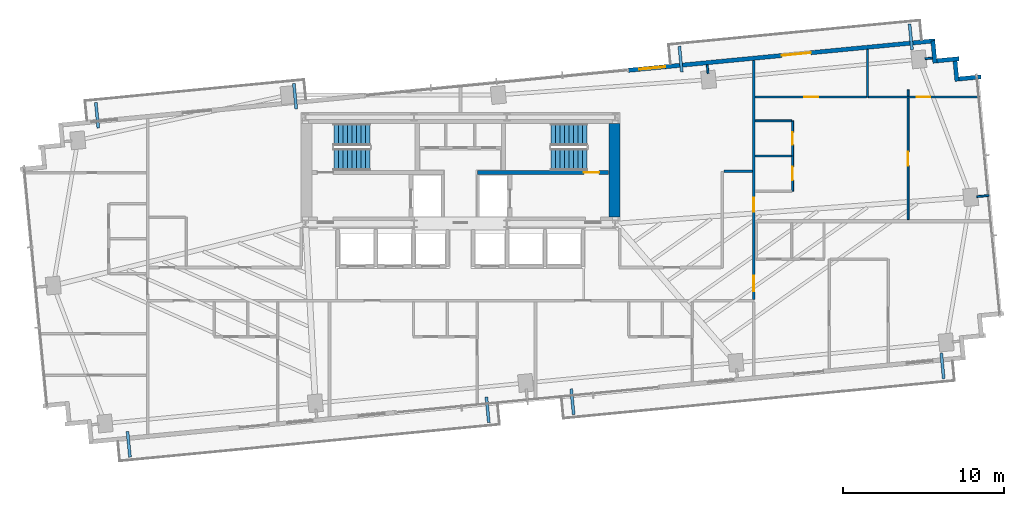
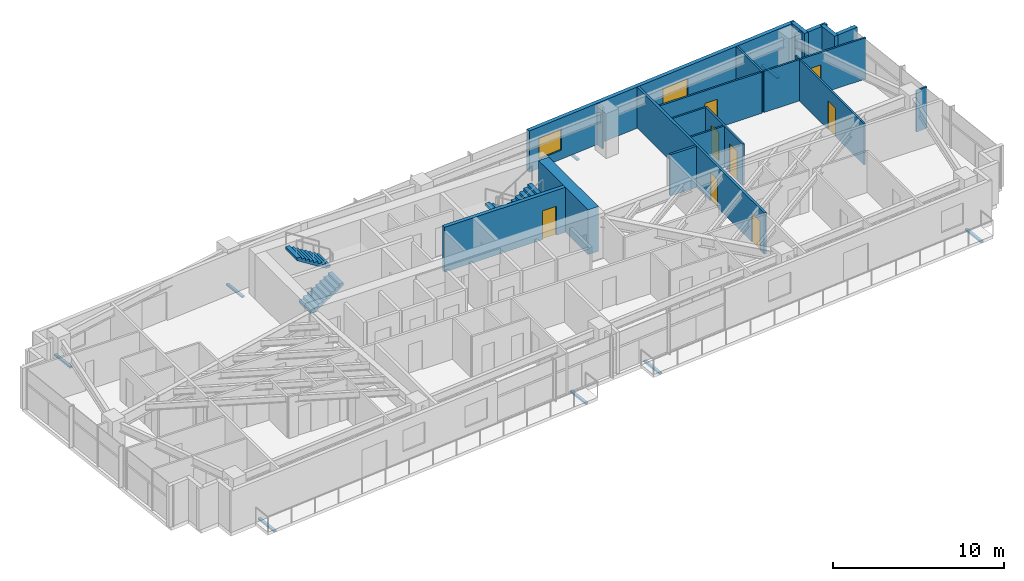
# One storey, part 24 of 27: 20 walls, 9 doors, 8 discrete accessories, 4 stair flights, 1 window, 10 openings, 2 elements without a shape of their own.
"""IFC4 building model written with IfcOpenShell, lengths in metres."""

from ifc_helpers import new_model, si_unit, direction, frame, frame_2d, origin, origin_2d, place, context, subcontext, project, spatial, polyline, rectangle, outline, extrude, source, transform, mapped, material, layer, layer_set, type_object, type_shapes, element, fill, aggregate, save


model = new_model("IFC4")

# Units and contexts
model_context = context("Model", 3, precision=1e-05, world=origin(), true_north=direction((0.0, 1.0)))
body_context = subcontext(model_context, "Body", "Model", "MODEL_VIEW")
ifc_project = project(units=[si_unit("LENGTHUNIT", "METRE"), si_unit("AREAUNIT", "SQUARE_METRE"), si_unit("VOLUMEUNIT", "CUBIC_METRE"), si_unit("PLANEANGLEUNIT", "RADIAN"), si_unit("MASSUNIT", "GRAM", prefix="KILO")], contexts=[model_context])

# Site, building, storey
site_placement = place(None, origin())
site = spatial("IfcSite", under=ifc_project, at=site_placement, CompositionType="ELEMENT")
building_placement = place(site_placement, origin())
building = spatial("IfcBuilding", under=site, at=building_placement, Name="Astriad Promenade Condominiums", CompositionType="ELEMENT")
storey_placement = place(building_placement, frame((0.0, 0.0, 97.0)))
storey = spatial("IfcBuildingStorey", under=building, at=storey_placement, Name="L27", CompositionType="ELEMENT", Elevation=97.0)

# Wall
ifc_material_1 = material(Name="Concrete C60/75", Category="concrete")
ifc_layer_1 = layer(ifc_material_1, 0.699951171875)
ifc_layer_set_1 = layer_set([ifc_layer_1], Name="Concrete C60/75")
wall_type_1 = type_object("IfcWallType", Name="CW-SHEAR-700", PredefinedType="SHEAR", material=ifc_layer_set_1)
wall_1_placement = place(storey_placement, frame((45.550048828125, 17.802001953125, 0.0), z_axis=(0.0, 0.0, 1.0), x_axis=(0.0, 1.0, 0.0)))
element("IfcWall", 1, at=wall_1_placement, inside=storey, type_object=wall_type_1, Name="CW-CORE-E-L27", PredefinedType="SHEAR", context=body_context, shape_type="SweptSolid", body=[
    extrude(rectangle(XDim=5.7958984375, YDim=0.699951171875, at=frame_2d((2.89794921875, 0.0))), origin(), (0.0, 0.0, 1.0), 3.199951171875),
])

# Wall, opening, door
ifc_material_2 = material(Name="Concrete C50/60", Category="concrete")
ifc_layer_2 = layer(ifc_material_2, 0.25)
ifc_layer_set_2 = layer_set([ifc_layer_2], Name="Concrete C50/60")
wall_type_2 = type_object("IfcWallType", Name="WALL-CORE-INT-250", PredefinedType="SOLIDWALL", material=ifc_layer_set_2)
wall_2_placement = place(storey_placement, frame((37.050048828125, 20.574951171875, 0.0), z_axis=(0.0, 0.0, 1.0), x_axis=(1.0, 0.0, 0.0)))
wall_2 = element("IfcWall", 2, at=wall_2_placement, inside=storey, type_object=wall_type_2, Name="CW-INT-H2-L27", PredefinedType="SOLIDWALL", context=body_context, shape_type="SweptSolid", body=[
    extrude(rectangle(XDim=8.14794921875, YDim=0.25, at=frame_2d((4.073974609375, 0.0))), origin(), (0.0, 0.0, 1.0), 3.199951171875),
])
opening_1_placement = place(wall_2_placement, frame((6.60009765625, 0.0, 0.0)))
opening_1 = element("IfcOpeningElement", 3, at=opening_1_placement, cuts=wall_2, Name="Opening FD90-ST-095", PredefinedType="OPENING", context=body_context, shape_type="SweptSolid", body=[
    extrude(rectangle(XDim=0.949951171875, YDim=2.06005859375, at=frame_2d((0.47509765625, 1.030029296875))), frame((0.0, 0.135009765625, 0.0), z_axis=(0.0, -1.0, 0.0), x_axis=(1.0, 0.0, 0.0)), (0.0, 0.0, 1.0), 0.27001953125),
])
ifc_material_3 = material(Name="Fire-Rated Hollow Metal Stair Door")
door_type_1 = type_object("IfcDoorType", Name="FD90-ST-095", OperationType="NOTDEFINED", PredefinedType="DOOR", material=ifc_material_3)
shared_shape_1 = source(origin(), body_context, "Body", "SweptSolid", [
    extrude(rectangle(XDim=0.949951171875, YDim=2.06005859375, at=frame_2d((0.47509765625, 1.030029296875))), frame((0.0, 0.02490234375, 0.0), z_axis=(0.0, -1.0, 0.0), x_axis=(1.0, 0.0, 0.0)), (0.0, 0.0, 1.0), 0.050048828125),
])
type_shapes(door_type_1, [shared_shape_1])
door_1_placement = place(opening_1_placement, origin())
door_1 = element("IfcDoor", 4, at=door_1_placement, inside=storey, type_object=door_type_1, Name="D-ST2-L27", OperationType="SINGLE_SWING_LEFT", OverallHeight=2.06005859375, OverallWidth=0.949951171875, PredefinedType="DOOR", context=body_context, shape_type="MappedRepresentation", body=[
    mapped(shared_shape_1, transform((0.0, 0.0, 0.0), scale=1.0)),
])
fill(opening_1, door_1)

# Wall, openings, doors
ifc_material_4 = material(Name="Fire-Rated Gypsum Partition")
ifc_layer_3 = layer(ifc_material_4, 0.159912109375)
ifc_layer_set_3 = layer_set([ifc_layer_3], Name="Fire-Rated Gypsum Partition")
wall_type_3 = type_object("IfcWallType", Name="WALL-CORR-160", PredefinedType="PARTITIONING", material=ifc_layer_set_3)
wall_3_placement = place(storey_placement, frame((54.199951171875, 12.7119140625, 0.0), z_axis=(0.0, 0.0, 1.0), x_axis=(0.0, 1.0, 0.0)))
wall_3 = element("IfcWall", 5, at=wall_3_placement, inside=storey, type_object=wall_type_3, Name="PT-COR-E-L27-S2", PredefinedType="PARTITIONING", context=body_context, shape_type="SweptSolid", body=[
    extrude(rectangle(XDim=14.8154296875, YDim=0.159912109375, at=frame_2d((7.40771484375, 0.0))), origin(), (0.0, 0.0, 1.0), 2.93994140625),
])
opening_2_placement = place(wall_3_placement, frame((0.492919921875, 0.0, 0.0)))
opening_2 = element("IfcOpeningElement", 6, at=opening_2_placement, cuts=wall_3, Name="Opening FD60-APT-095", PredefinedType="OPENING", context=body_context, shape_type="SweptSolid", body=[
    extrude(rectangle(XDim=0.949951171875, YDim=2.06005859375, at=frame_2d((0.47509765625, 1.030029296875))), frame((0.0, 0.08984375, 0.0), z_axis=(0.0, -1.0, 0.0), x_axis=(1.0, 0.0, 0.0)), (0.0, 0.0, 1.0), 0.179931640625),
])
opening_3_placement = place(wall_3_placement, frame((5.43310546875, 0.0, 0.0)))
opening_3 = element("IfcOpeningElement", 7, at=opening_3_placement, cuts=wall_3, Name="Opening FD60-ULOW-085", PredefinedType="OPENING", context=body_context, shape_type="SweptSolid", body=[
    extrude(rectangle(XDim=0.85009765625, YDim=2.0, at=frame_2d((0.425048828125, 1.0))), frame((0.0, 0.08984375, 0.0), z_axis=(0.0, -1.0, 0.0), x_axis=(1.0, 0.0, 0.0)), (0.0, 0.0, 1.0), 0.179931640625),
])
ifc_material_5 = material(Name="Solid-Core Acoustic Timber Residence Entry Door", Category="wood")
door_type_2 = type_object("IfcDoorType", Name="FD60-APT-095", OperationType="NOTDEFINED", PredefinedType="DOOR", material=ifc_material_5)
shared_shape_2 = source(origin(), body_context, "Body", "SweptSolid", [
    extrude(rectangle(XDim=0.949951171875, YDim=2.06005859375, at=frame_2d((0.47509765625, 1.030029296875))), frame((0.0, 0.02490234375, 0.0), z_axis=(0.0, -1.0, 0.0), x_axis=(1.0, 0.0, 0.0)), (0.0, 0.0, 1.0), 0.050048828125),
])
type_shapes(door_type_2, [shared_shape_2])
door_2_placement = place(opening_2_placement, origin())
door_2 = element("IfcDoor", 8, at=door_2_placement, inside=storey, type_object=door_type_2, Name="D-ENT-L27-E1", OperationType="SINGLE_SWING_LEFT", OverallHeight=2.06005859375, OverallWidth=0.949951171875, PredefinedType="DOOR", context=body_context, shape_type="MappedRepresentation", body=[
    mapped(shared_shape_2, transform((0.0, 0.0, 0.0), scale=1.0)),
])
fill(opening_2, door_2)
ifc_material_6 = material(Name="Solid-Core Low-Headroom Fire Door")
door_type_3 = type_object("IfcDoorType", Name="FD60-ULOW-085", OperationType="NOTDEFINED", PredefinedType="DOOR", material=ifc_material_6)
shared_shape_3 = source(origin(), body_context, "Body", "SweptSolid", [
    extrude(rectangle(XDim=0.85009765625, YDim=2.0, at=frame_2d((0.425048828125, 1.0))), frame((0.0, 0.02490234375, 0.0), z_axis=(0.0, -1.0, 0.0), x_axis=(1.0, 0.0, 0.0)), (0.0, 0.0, 1.0), 0.050048828125),
])
type_shapes(door_type_3, [shared_shape_3])
door_3_placement = place(opening_3_placement, origin())
door_3 = element("IfcDoor", 9, at=door_3_placement, inside=storey, type_object=door_type_3, Name="D-ENT-L27-E2", OperationType="SINGLE_SWING_RIGHT", OverallHeight=2.0, OverallWidth=0.85009765625, PredefinedType="DOOR", context=body_context, shape_type="MappedRepresentation", body=[
    mapped(shared_shape_3, transform((0.0, 0.0, 0.0), scale=1.0)),
])
fill(opening_3, door_3)

# Wall
wall_4_placement = place(storey_placement, frame((52.33203125, 20.64990234375, 0.0), z_axis=(0.0, 0.0, 1.0), x_axis=(1.0, 0.0, 0.0)))
element("IfcWall", 10, at=wall_4_placement, inside=storey, type_object=wall_type_3, Name="PT-EALC-N-L27", PredefinedType="PARTITIONING", context=body_context, shape_type="SweptSolid", body=[
    extrude(rectangle(XDim=1.785888671875, YDim=0.159912109375, at=frame_2d((0.89306640625, 0.0))), origin(), (0.0, 0.0, 1.0), 2.93994140625),
])

# Wall, openings, door, window
ifc_material_7 = material(Name="Precast concrete C50/60", Category="concrete")
ifc_layer_4 = layer(ifc_material_7, 0.260009765625)
ifc_layer_set_4 = layer_set([ifc_layer_4], Name="Precast concrete C50/60")
wall_type_4 = type_object("IfcWallType", Name="WALL-EXT-TWR-260", PredefinedType="STANDARD", material=ifc_layer_set_4)
wall_5_placement = place(storey_placement, frame((46.40625, 26.90966796875, 0.0), z_axis=(0.0, 0.0, 1.0), x_axis=(0.995396638587, 0.095841180552, 0.0)))
wall_5 = element("IfcWall", 11, at=wall_5_placement, inside=storey, type_object=wall_type_4, Name="W-EXT-L27-N2", PredefinedType="STANDARD", context=body_context, shape_type="SweptSolid", body=[
    extrude(rectangle(XDim=19.110107421875, YDim=0.260009765625, at=frame_2d((9.55517578125, 0.0))), origin(), (0.0, 0.0, 1.0), 2.93994140625),
])
opening_4_placement = place(wall_5_placement, frame((9.570068359375, 0.0, 0.0)))
opening_4 = element("IfcOpeningElement", 12, at=opening_4_placement, cuts=wall_5, Name="Opening BD-1822-SLD", PredefinedType="OPENING", context=body_context, shape_type="SweptSolid", body=[
    extrude(rectangle(XDim=1.800048828125, YDim=2.06005859375, at=frame_2d((0.89990234375, 1.030029296875))), frame((0.0, 0.139892578125, 0.0), z_axis=(0.0, -1.0, 0.0), x_axis=(1.0, 0.0, 0.0)), (0.0, 0.0, 1.0), 0.280029296875),
])
opening_5_placement = place(wall_5_placement, frame((0.699951171875, 0.0, 0.64990234375)))
opening_5 = element("IfcOpeningElement", 13, at=opening_5_placement, cuts=wall_5, Name="Opening WIN-TWR-1620", PredefinedType="OPENING", context=body_context, shape_type="SweptSolid", body=[
    extrude(rectangle(XDim=1.60009765625, YDim=1.5, at=frame_2d((0.800048828125, 0.75))), frame((0.0, 0.139892578125, 0.0), z_axis=(0.0, -1.0, 0.0), x_axis=(1.0, 0.0, 0.0)), (0.0, 0.0, 1.0), 0.280029296875),
])
ifc_material_8 = material(Name="Thermally Broken Aluminium Sliding Balcony Door", Category="aluminium")
door_type_4 = type_object("IfcDoorType", Name="BD-1822-SLD", OperationType="NOTDEFINED", PredefinedType="DOOR", material=ifc_material_8)
shared_shape_4 = source(origin(), body_context, "Body", "SweptSolid", [
    extrude(rectangle(XDim=1.800048828125, YDim=2.06005859375, at=frame_2d((0.89990234375, 1.030029296875))), frame((0.0, 0.02490234375, 0.0), z_axis=(0.0, -1.0, 0.0), x_axis=(1.0, 0.0, 0.0)), (0.0, 0.0, 1.0), 0.050048828125),
])
type_shapes(door_type_4, [shared_shape_4])
door_4_placement = place(opening_4_placement, origin())
door_4 = element("IfcDoor", 14, at=door_4_placement, inside=storey, type_object=door_type_4, Name="BD-L27-NE", OperationType="SLIDING_TO_RIGHT", OverallHeight=2.06005859375, OverallWidth=1.800048828125, PredefinedType="DOOR", context=body_context, shape_type="MappedRepresentation", body=[
    mapped(shared_shape_4, transform((0.0, 0.0, 0.0), scale=1.0)),
])
fill(opening_4, door_4)
ifc_material_9 = material(Name="Dark Tinted Triple-Glazed Aluminium Window", Category="aluminium")
window_type = type_object("IfcWindowType", Name="WIN-TWR-1620", PartitioningType="SINGLE_PANEL", PredefinedType="WINDOW", material=ifc_material_9)
shared_shape_5 = source(origin(), body_context, "Body", "SweptSolid", [
    extrude(rectangle(XDim=1.60009765625, YDim=1.5, at=frame_2d((0.800048828125, 0.75))), frame((0.0, 0.030029296875, 0.0), z_axis=(0.0, -1.0, 0.0), x_axis=(1.0, 0.0, 0.0)), (0.0, 0.0, 1.0), 0.06005859375),
])
type_shapes(window_type, [shared_shape_5])
window_placement = place(opening_5_placement, origin())
window = element("IfcWindow", 15, at=window_placement, inside=storey, type_object=window_type, Name="WIN-L27-NE", OverallHeight=1.5, OverallWidth=1.60009765625, PartitioningType="SINGLE_PANEL", PredefinedType="WINDOW", context=body_context, shape_type="MappedRepresentation", body=[
    mapped(shared_shape_5, transform((0.0, 0.0, 0.0), scale=1.0)),
])
fill(opening_5, window)

# Walls
for number, where, z_axis, x_axis, name in (
    (16, (65.297607421875, 28.74365234375, 0.0), (0.0, 0.0, 1.0), (0.095725744959, -0.99540774648, 0.0), "W-SER-L27-09"),
    (17, (65.533203125, 27.49560546875, 0.0), (0.0, 0.0, 1.0), (0.99540774648, 0.095725744959, 0.0), "W-SER-L27-10"),
):
    element("IfcWall", number, at=place(storey_placement, frame(where, z_axis=z_axis, x_axis=x_axis)), inside=storey, type_object=wall_type_4, Name=name, PredefinedType="STANDARD", context=body_context, shape_type="SweptSolid", body=[
        extrude(rectangle(XDim=1.39501953125, YDim=0.260009765625, at=frame_2d((0.697509765625, 0.0))), origin(), (0.0, 0.0, 1.0), 2.93994140625),
    ])
wall_6_placement = place(storey_placement, frame((66.66162109375, 27.619140625, 0.0), z_axis=(0.0, 0.0, 1.0), x_axis=(0.095742423056, -0.99540614245, 0.0)))
element("IfcWall", 18, at=wall_6_placement, inside=storey, type_object=wall_type_4, Name="W-SER-L27-11", PredefinedType="STANDARD", context=body_context, shape_type="SweptSolid", body=[
    extrude(rectangle(XDim=1.394775390625, YDim=0.260009765625, at=frame_2d((0.697265625, 0.0))), origin(), (0.0, 0.0, 1.0), 2.93994140625),
])
wall_7_placement = place(storey_placement, frame((66.897216796875, 26.37109375, 0.0), z_axis=(0.0, 0.0, 1.0), x_axis=(0.995391056452, 0.09589913835, 0.0)))
element("IfcWall", 19, at=wall_7_placement, inside=storey, type_object=wall_type_4, Name="W-SER-L27-12", PredefinedType="STANDARD", context=body_context, shape_type="SweptSolid", body=[
    extrude(rectangle(XDim=1.39501953125, YDim=0.260009765625, at=frame_2d((0.697509765625, 0.0))), origin(), (0.0, 0.0, 1.0), 2.93994140625),
])

# Wall, openings, doors
ifc_material_10 = material(Name="Acoustic Metal-Stud Gypsum Partition")
ifc_layer_5 = layer(ifc_material_10, 0.1201171875)
ifc_layer_set_5 = layer_set([ifc_layer_5], Name="Acoustic Metal-Stud Gypsum Partition")
wall_type_5 = type_object("IfcWallType", Name="WALL-PART-120", PredefinedType="PARTITIONING", material=ifc_layer_set_5)
wall_8_placement = place(storey_placement, frame((56.60009765625, 19.419921875, 0.0), z_axis=(0.0, 0.0, 1.0), x_axis=(0.0, 1.0, 0.0)))
wall_8 = element("IfcWall", 20, at=wall_8_placement, inside=storey, type_object=wall_type_5, Name="PT-L27-E2-PV", PredefinedType="PARTITIONING", context=body_context, shape_type="SweptSolid", body=[
    extrude(rectangle(XDim=4.35009765625, YDim=0.1201171875, at=frame_2d((2.175048828125, 0.0))), origin(), (0.0, 0.0, 1.0), 2.93994140625),
])
opening_6_placement = place(wall_8_placement, frame((0.6630859375, 0.0, 0.0)))
opening_6 = element("IfcOpeningElement", 21, at=opening_6_placement, cuts=wall_8, Name="Opening D-INT-085", PredefinedType="OPENING", context=body_context, shape_type="SweptSolid", body=[
    extrude(rectangle(XDim=0.85009765625, YDim=2.050048828125, at=frame_2d((0.425048828125, 1.02490234375))), frame((0.0, 0.070068359375, 0.0), z_axis=(0.0, -1.0, 0.0), x_axis=(1.0, 0.0, 0.0)), (0.0, 0.0, 1.0), 0.14013671875),
])
opening_7_placement = place(wall_8_placement, frame((2.862060546875, 0.0, 0.0)))
opening_7 = element("IfcOpeningElement", 22, at=opening_7_placement, cuts=wall_8, Name="Opening D-WET-080", PredefinedType="OPENING", context=body_context, shape_type="SweptSolid", body=[
    extrude(rectangle(XDim=0.800048828125, YDim=2.02001953125, at=frame_2d((0.39990234375, 1.010009765625))), frame((0.0, 0.070068359375, 0.0), z_axis=(0.0, -1.0, 0.0), x_axis=(1.0, 0.0, 0.0)), (0.0, 0.0, 1.0), 0.14013671875),
])
ifc_material_11 = material(Name="Moisture-Resistant Timber Bathroom Door", Category="wood")
door_type_5 = type_object("IfcDoorType", Name="D-WET-080", OperationType="NOTDEFINED", PredefinedType="DOOR", material=ifc_material_11)
shared_shape_6 = source(origin(), body_context, "Body", "SweptSolid", [
    extrude(rectangle(XDim=0.800048828125, YDim=2.02001953125, at=frame_2d((0.39990234375, 1.010009765625))), frame((0.0, 0.02490234375, 0.0), z_axis=(0.0, -1.0, 0.0), x_axis=(1.0, 0.0, 0.0)), (0.0, 0.0, 1.0), 0.050048828125),
])
type_shapes(door_type_5, [shared_shape_6])
door_5_placement = place(opening_7_placement, origin())
door_5 = element("IfcDoor", 23, at=door_5_placement, inside=storey, type_object=door_type_5, Name="D-BTH-L27-E2", OperationType="SINGLE_SWING_RIGHT", OverallHeight=2.02001953125, OverallWidth=0.800048828125, PredefinedType="DOOR", context=body_context, shape_type="MappedRepresentation", body=[
    mapped(shared_shape_6, transform((0.0, 0.0, 0.0), scale=1.0)),
])
fill(opening_7, door_5)
ifc_material_12 = material(Name="Painted Solid-Core Timber Room Door", Category="wood")
door_type_6 = type_object("IfcDoorType", Name="D-INT-085", OperationType="NOTDEFINED", PredefinedType="DOOR", material=ifc_material_12)
shared_shape_7 = source(origin(), body_context, "Body", "SweptSolid", [
    extrude(rectangle(XDim=0.85009765625, YDim=2.050048828125, at=frame_2d((0.425048828125, 1.02490234375))), frame((0.0, 0.02490234375, 0.0), z_axis=(0.0, -1.0, 0.0), x_axis=(1.0, 0.0, 0.0)), (0.0, 0.0, 1.0), 0.050048828125),
])
type_shapes(door_type_6, [shared_shape_7])
door_6_placement = place(opening_6_placement, origin())
door_6 = element("IfcDoor", 24, at=door_6_placement, inside=storey, type_object=door_type_6, Name="D-KIT-L27-E2", OperationType="SINGLE_SWING_LEFT", OverallHeight=2.050048828125, OverallWidth=0.85009765625, PredefinedType="DOOR", context=body_context, shape_type="MappedRepresentation", body=[
    mapped(shared_shape_7, transform((0.0, 0.0, 0.0), scale=1.0)),
])
fill(opening_6, door_6)

# Walls
for number, where, z_axis, x_axis, name in (
    (25, (54.281982421875, 21.594970703125, 0.0), (0.0, 0.0, 1.0), (1.0, 0.0, 0.0), "PT-L27-E2-PM"),
    (26, (54.281982421875, 23.77001953125, 0.0), (0.0, 0.0, 1.0), (1.0, 0.0, 0.0), "PT-L27-E2-PN"),
):
    element("IfcWall", number, at=place(storey_placement, frame(where, z_axis=z_axis, x_axis=x_axis)), inside=storey, type_object=wall_type_5, Name=name, PredefinedType="PARTITIONING", context=body_context, shape_type="SweptSolid", body=[
        extrude(rectangle(XDim=2.256103515625, YDim=0.1201171875, at=frame_2d((1.1279296875, 0.0))), origin(), (0.0, 0.0, 1.0), 2.93994140625),
    ])
wall_9_placement = place(storey_placement, frame((61.2451171875, 25.2548828125, 0.0), z_axis=(0.0, 0.0, 1.0), x_axis=(0.0, 1.0, 0.0)))
element("IfcWall", 27, at=wall_9_placement, inside=storey, type_object=wall_type_5, Name="PT-L27-E2-B1M", PredefinedType="PARTITIONING", context=body_context, shape_type="SweptSolid", body=[
    extrude(rectangle(XDim=2.950927734375, YDim=0.1201171875, at=frame_2d((1.4755859375, 0.0))), origin(), (0.0, 0.0, 1.0), 2.93994140625),
])

# Wall, opening, door
wall_10_placement = place(storey_placement, frame((54.281982421875, 25.2548828125, 0.0), z_axis=(0.0, 0.0, 1.0), x_axis=(1.0, 0.0, 0.0)))
wall_10 = element("IfcWall", 28, at=wall_10_placement, inside=storey, type_object=wall_type_5, Name="PT-L27-E2-B1", PredefinedType="PARTITIONING", context=body_context, shape_type="SweptSolid", body=[
    extrude(rectangle(XDim=6.901123046875, YDim=0.1201171875, at=frame_2d((3.45068359375, 0.0))), origin(), (0.0, 0.0, 1.0), 2.93994140625),
])
opening_8_placement = place(wall_10_placement, frame((3.055908203125, 0.0, 0.0)))
opening_8 = element("IfcOpeningElement", 29, at=opening_8_placement, cuts=wall_10, Name="Opening D-INT-085", PredefinedType="OPENING", context=body_context, shape_type="SweptSolid", body=[
    extrude(rectangle(XDim=0.85009765625, YDim=2.050048828125, at=frame_2d((0.425048828125, 1.02490234375))), frame((0.0, 0.070068359375, 0.0), z_axis=(0.0, -1.0, 0.0), x_axis=(1.0, 0.0, 0.0)), (0.0, 0.0, 1.0), 0.14013671875),
])
door_7_placement = place(opening_8_placement, origin())
door_7 = element("IfcDoor", 30, at=door_7_placement, inside=storey, type_object=door_type_6, Name="D-BD1-L27-E2", OperationType="SINGLE_SWING_LEFT", OverallHeight=2.050048828125, OverallWidth=0.85009765625, PredefinedType="DOOR", context=body_context, shape_type="MappedRepresentation", body=[
    mapped(shared_shape_7, transform((0.0, 0.0, 0.0), scale=1.0)),
])
fill(opening_8, door_7)

wall_11_placement = place(storey_placement, frame((61.306884765625, 25.2548828125, 0.0), z_axis=(0.0, 0.0, 1.0), x_axis=(1.0, 0.0, 0.0)))
wall_11 = element("IfcWall", 31, at=wall_11_placement, inside=storey, type_object=wall_type_5, Name="PT-L27-E2-B1-S2", PredefinedType="PARTITIONING", context=body_context, shape_type="SweptSolid", body=[
    extrude(rectangle(XDim=6.888427734375, YDim=0.1201171875, at=frame_2d((3.4443359375, 0.0))), origin(), (0.0, 0.0, 1.0), 2.93994140625),
])
opening_9_placement = place(wall_11_placement, frame((2.9951171875, 0.0, 0.0)))
opening_9 = element("IfcOpeningElement", 32, at=opening_9_placement, cuts=wall_11, Name="Opening D-INT-085", PredefinedType="OPENING", context=body_context, shape_type="SweptSolid", body=[
    extrude(rectangle(XDim=0.85009765625, YDim=2.050048828125, at=frame_2d((0.425048828125, 1.02490234375))), frame((0.0, 0.070068359375, 0.0), z_axis=(0.0, -1.0, 0.0), x_axis=(1.0, 0.0, 0.0)), (0.0, 0.0, 1.0), 0.14013671875),
])
door_8_placement = place(opening_9_placement, origin())
door_8 = element("IfcDoor", 33, at=door_8_placement, inside=storey, type_object=door_type_6, Name="D-BD1B-L27-E2", OperationType="SINGLE_SWING_RIGHT", OverallHeight=2.050048828125, OverallWidth=0.85009765625, PredefinedType="DOOR", context=body_context, shape_type="MappedRepresentation", body=[
    mapped(shared_shape_7, transform((0.0, 0.0, 0.0), scale=1.0)),
])
fill(opening_9, door_8)

wall_12_placement = place(storey_placement, frame((63.761962890625, 17.652099609375, 0.0), z_axis=(0.0, 0.0, 1.0), x_axis=(0.0, 1.0, 0.0)))
wall_12 = element("IfcWall", 34, at=wall_12_placement, inside=storey, type_object=wall_type_5, Name="PT-L27-E2-WDV1", PredefinedType="PARTITIONING", context=body_context, shape_type="SweptSolid", body=[
    extrude(rectangle(XDim=7.541015625, YDim=0.1201171875, at=frame_2d((3.7705078125, 0.0))), origin(), (0.0, 0.0, 1.0), 2.93994140625),
])
opening_10_placement = place(wall_12_placement, frame((3.344970703125, 0.0, 0.0)))
opening_10 = element("IfcOpeningElement", 35, at=opening_10_placement, cuts=wall_12, Name="Opening D-INT-085", PredefinedType="OPENING", context=body_context, shape_type="SweptSolid", body=[
    extrude(rectangle(XDim=0.85009765625, YDim=2.050048828125, at=frame_2d((0.425048828125, 1.02490234375))), frame((0.0, 0.070068359375, 0.0), z_axis=(0.0, -1.0, 0.0), x_axis=(1.0, 0.0, 0.0)), (0.0, 0.0, 1.0), 0.14013671875),
])
door_9_placement = place(opening_10_placement, origin())
door_9 = element("IfcDoor", 36, at=door_9_placement, inside=storey, type_object=door_type_6, Name="D-WDV1-L27-E2", OperationType="SINGLE_SWING_LEFT", OverallHeight=2.050048828125, OverallWidth=0.85009765625, PredefinedType="DOOR", context=body_context, shape_type="MappedRepresentation", body=[
    mapped(shared_shape_7, transform((0.0, 0.0, 0.0), scale=1.0)),
])
fill(opening_10, door_9)

# Walls
wall_13_placement = place(storey_placement, frame((63.761962890625, 25.31689453125, 0.0), z_axis=(0.0, 0.0, 1.0), x_axis=(0.0, 1.0, 0.0)))
element("IfcWall", 37, at=wall_13_placement, inside=storey, type_object=wall_type_5, Name="PT-L27-E2-WDV1-S2", PredefinedType="PARTITIONING", context=body_context, shape_type="SweptSolid", body=[
    extrude(rectangle(XDim=0.378173828125, YDim=0.1201171875, at=frame_2d((0.18896484375, 0.0))), origin(), (0.0, 0.0, 1.0), 2.93994140625),
])
wall_14_placement = place(storey_placement, frame((51.35791015625, 26.71337890625, 0.0), z_axis=(0.0, 0.0, 1.0), x_axis=(-0.095772948675, 0.995403205893, 0.0)))
element("IfcWall", 38, at=wall_14_placement, inside=storey, type_object=wall_type_5, Name="PT-PIL-L27-PC09-16", PredefinedType="PARTITIONING", context=body_context, shape_type="SweptSolid", body=[
    extrude(rectangle(XDim=0.537841796875, YDim=0.1201171875, at=frame_2d((0.26904296875, 0.0))), origin(), (0.0, 0.0, 1.0), 2.93994140625),
])
wall_15_placement = place(storey_placement, frame((64.812255859375, 27.626953125, 0.0), z_axis=(0.0, 0.0, 1.0), x_axis=(0.995389482415, 0.095915474751, 0.0)))
element("IfcWall", 39, at=wall_15_placement, inside=storey, type_object=wall_type_5, Name="PT-PIL-L27-PC10-17", PredefinedType="PARTITIONING", context=body_context, shape_type="SweptSolid", body=[
    extrude(rectangle(XDim=0.458251953125, YDim=0.1201171875, at=frame_2d((0.22900390625, 0.0))), origin(), (0.0, 0.0, 1.0), 2.93994140625),
])
wall_16_placement = place(storey_placement, frame((68.026611328125, 19.07568359375, 0.0), z_axis=(0.0, 0.0, 1.0), x_axis=(0.995377786728, 0.096036772582, 0.0)))
element("IfcWall", 40, at=wall_16_placement, inside=storey, type_object=wall_type_5, Name="PT-PIL-L27-PC12-19", PredefinedType="PARTITIONING", context=body_context, shape_type="SweptSolid", body=[
    extrude(rectangle(XDim=0.760009765625, YDim=0.1201171875, at=frame_2d((0.3798828125, 0.0))), origin(), (0.0, 0.0, 1.0), 2.93994140625),
])

# Stair, stair flights
stair_type = type_object("IfcStairType", Name="STR-CORE-1350", PredefinedType="HALF_TURN_STAIR", material=ifc_material_2)
stair_1_placement = place(storey_placement, origin())
stair_1 = element("IfcStair", 41, at=stair_1_placement, inside=storey, type_object=stair_type, Name="L27 Enclosed Core Exit Stair ST-1", PredefinedType="HALF_TURN_STAIR")
stair_flight_type = type_object("IfcStairFlightType", Name="SFL-CORE-1350", PredefinedType="STRAIGHT", material=ifc_material_2)
shared_shape_8 = source(origin(), body_context, "Body", "SweptSolid", [
    extrude(outline(polyline([(0.0, 0.0), (0.0, 0.177734375), (0.280029296875, 0.177734375), (0.280029296875, 0.35546875), (0.56005859375, 0.35546875), (0.56005859375, 0.533447265625), (0.840087890625, 0.533447265625), (0.840087890625, 0.711181640625), (1.1201171875, 0.711181640625), (1.1201171875, 0.888916015625), (1.39990234375, 0.888916015625), (1.39990234375, 1.066650390625), (1.679931640625, 1.066650390625), (1.679931640625, 1.244384765625), (1.9599609375, 1.244384765625), (1.9599609375, 1.422119140625), (2.239990234375, 1.422119140625), (2.239990234375, 1.60009765625), (2.239990234375, 1.24462890625), (0.27978515625, 0.0), (0.0, 0.0)])), frame((0.0, 0.675048828125, 0.0), z_axis=(0.0, -1.0, 0.0), x_axis=(1.0, 0.0, 0.0)), (0.0, 0.0, 1.0), 1.35009765625),
])
type_shapes(stair_flight_type, [shared_shape_8])
stair_flight_1_placement = place(storey_placement, frame((28.14990234375, 21.375, 0.0), z_axis=(0.0, 0.0, 1.0), x_axis=(1.0, 0.0, 0.0)))
stair_flight_1 = element("IfcStairFlight", 42, at=stair_flight_1_placement, type_object=stair_flight_type, Name="ST-1 flight 1", NumberOfRisers=9, NumberOfTreads=8, PredefinedType="STRAIGHT", RiserHeight=0.177777778, TreadLength=0.28, context=body_context, shape_type="MappedRepresentation", body=[
    mapped(shared_shape_8, transform((0.0, 0.0, 0.0), scale=1.0)),
])
stair_flight_2_placement = place(storey_placement, frame((30.389892578125, 22.925048828125, 1.60009765625), z_axis=(0.0, 0.0, 1.0), x_axis=(-1.0, 0.0, 0.0)))
stair_flight_2 = element("IfcStairFlight", 43, at=stair_flight_2_placement, type_object=stair_flight_type, Name="ST-1 flight 2", NumberOfRisers=9, NumberOfTreads=8, PredefinedType="STRAIGHT", RiserHeight=0.177777778, TreadLength=0.28, context=body_context, shape_type="MappedRepresentation", body=[
    mapped(shared_shape_8, transform((0.0, 0.0, 0.0), scale=1.0)),
])
aggregate(stair_1, [stair_flight_1, stair_flight_2])

stair_2_placement = place(storey_placement, origin())
stair_2 = element("IfcStair", 44, at=stair_2_placement, inside=storey, type_object=stair_type, Name="L27 Enclosed Core Exit Stair ST-2", PredefinedType="HALF_TURN_STAIR")
stair_flight_3_placement = place(storey_placement, frame((43.85009765625, 22.925048828125, 0.0), z_axis=(0.0, 0.0, 1.0), x_axis=(-1.0, 0.0, 0.0)))
stair_flight_3 = element("IfcStairFlight", 45, at=stair_flight_3_placement, type_object=stair_flight_type, Name="ST-2 flight 1", NumberOfRisers=9, NumberOfTreads=8, PredefinedType="STRAIGHT", RiserHeight=0.177777778, TreadLength=0.28, context=body_context, shape_type="MappedRepresentation", body=[
    mapped(shared_shape_8, transform((0.0, 0.0, 0.0), scale=1.0)),
])
stair_flight_4_placement = place(storey_placement, frame((41.610107421875, 21.375, 1.60009765625), z_axis=(0.0, 0.0, 1.0), x_axis=(1.0, 0.0, 0.0)))
stair_flight_4 = element("IfcStairFlight", 46, at=stair_flight_4_placement, type_object=stair_flight_type, Name="ST-2 flight 2", NumberOfRisers=9, NumberOfTreads=8, PredefinedType="STRAIGHT", RiserHeight=0.177777778, TreadLength=0.28, context=body_context, shape_type="MappedRepresentation", body=[
    mapped(shared_shape_8, transform((0.0, 0.0, 0.0), scale=1.0)),
])
aggregate(stair_2, [stair_flight_3, stair_flight_4])

# Discrete accessories
ifc_material_13 = material(Name="Steel ASTM A572 Grade 50", Category="steel")
discrete_accessory_type = type_object("IfcDiscreteAccessoryType", Name="STEEL BALCONY OUTRIGGER BRACKET", PredefinedType="BRACKET", material=ifc_material_13)
shared_shape_9 = source(origin(), body_context, "Body", "SweptSolid", [
    extrude(rectangle(XDim=1.60009765625, YDim=0.179931640625, at=origin_2d()), origin(), (0.0, 0.0, 1.0), 0.1220703125),
])
type_shapes(discrete_accessory_type, [shared_shape_9])
for number, where, z_axis, x_axis, name in (
    (47, (15.432861328125, 3.714111328125, -0.340087890625), (0.0, 0.0, 1.0), (0.09584575252, -0.995396198367, 0.0), "Balcony Outrigger Bracket BAL-L27-SW-A"),
    (48, (37.68798828125, 5.85693359375, -0.340087890625), (0.0, 0.0, 1.0), (0.09584575252, -0.995396198367, 0.0), "Balcony Outrigger Bracket BAL-L27-SW-B"),
    (49, (42.947509765625, 6.36328125, -0.340087890625), (0.0, 0.0, 1.0), (0.09584575252, -0.995396198367, 0.0), "Balcony Outrigger Bracket BAL-L27-SE-A"),
    (50, (65.8974609375, 8.5732421875, -0.340087890625), (0.0, 0.0, 1.0), (0.09584575252, -0.995396198367, 0.0), "Balcony Outrigger Bracket BAL-L27-SE-B"),
    (51, (13.468017578125, 24.11962890625, -0.340087890625), (0.0, 0.0, 1.0), (-0.09584575252, 0.995396198367, 0.0), "Balcony Outrigger Bracket BAL-L27-NW-A"),
    (52, (25.745361328125, 25.302001953125, -0.340087890625), (0.0, 0.0, 1.0), (-0.09584575252, 0.995396198367, 0.0), "Balcony Outrigger Bracket BAL-L27-NW-B"),
    (53, (49.65478515625, 27.60400390625, -0.340087890625), (0.0, 0.0, 1.0), (-0.09584575252, 0.995396198367, 0.0), "Balcony Outrigger Bracket BAL-L27-NE-A"),
    (54, (63.9326171875, 28.97900390625, -0.340087890625), (0.0, 0.0, 1.0), (-0.09584575252, 0.995396198367, 0.0), "Balcony Outrigger Bracket BAL-L27-NE-B"),
):
    element("IfcDiscreteAccessory", number, at=place(storey_placement, frame(where, z_axis=z_axis, x_axis=x_axis)), inside=storey, type_object=discrete_accessory_type, Name=name, PredefinedType="BRACKET", context=body_context, shape_type="MappedRepresentation", body=[
        mapped(shared_shape_9, transform((0.0, 0.0, 0.0), scale=1.0)),
    ])

save(model, "model.ifc")
